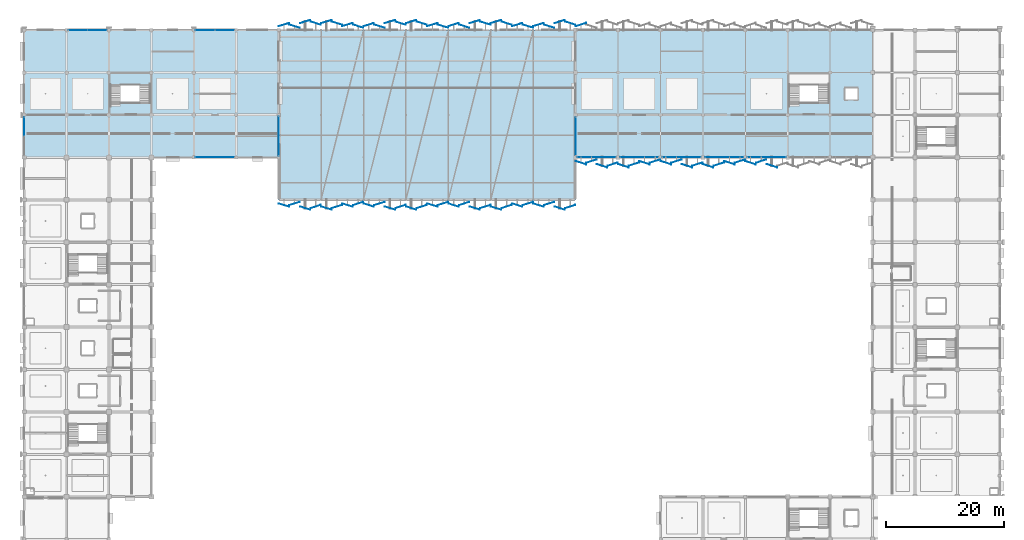
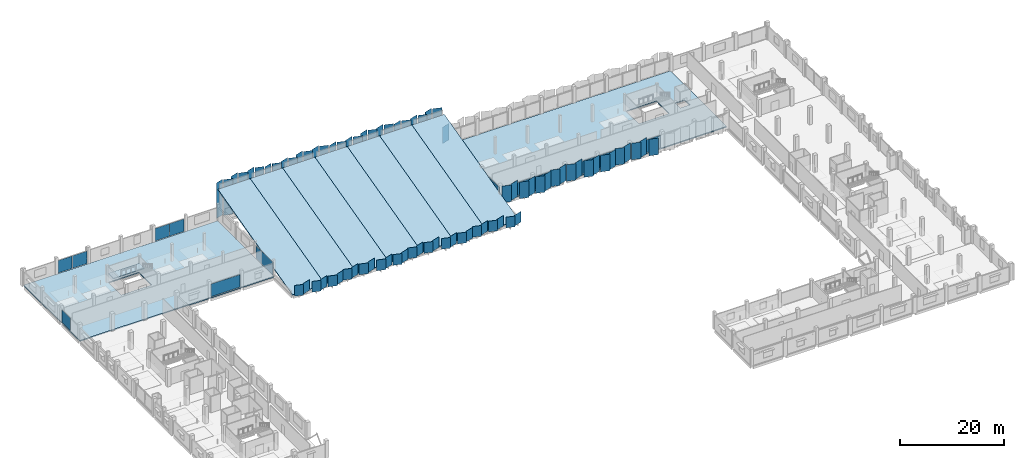
# One storey, part 65 of 108: 89 plates, 10 slabs, 12 elements without a shape of their own.
"""IFC4 building model written with IfcOpenShell, lengths in metres."""

import ifcopenshell
import ifcopenshell.guid

model = None  # the IFC model being written
_history = None  # IfcOwnerHistory: only IFC2X3 demands one
_inside = {}  # id of a spatial element -> (the spatial element, [elements in it])
_under = {}  # id of a project, library or spatial element -> (it, [spatial elements below it])
_declared = {}  # id of a project -> (the project, [libraries it declares])
_typed = {}  # id of a type object -> (the type object, [elements of that type])
_made_of = {}  # id of a material, layer set ... -> (it, [elements and type objects made of it])


def new_model(schema):
    """Start an empty IFC model of exactly this schema.

    Asked for "IFC4X3", IfcOpenShell would pick the latest addendum, in which some entities
    have other attributes; the version numbers below select the first issue.
    IFC2X3 requires an IfcOwnerHistory on every rooted entity: one is made here for all.
    """
    global model, _history
    if schema == "IFC4X3":
        model = ifcopenshell.file(schema_version=(4, 3, 0, 0))
    else:
        model = ifcopenshell.file(schema=schema)
    _inside.clear()
    _under.clear()
    _declared.clear()
    _typed.clear()
    _made_of.clear()
    _history = None
    if model.schema == "IFC2X3":
        org = make("IfcOrganization", Name="unknown")
        user = make(
            "IfcPersonAndOrganization",
            ThePerson=make("IfcPerson", FamilyName="unknown"),
            TheOrganization=org,
        )
        app = make(
            "IfcApplication",
            ApplicationDeveloper=org,
            Version="unknown",
            ApplicationFullName="unknown",
            ApplicationIdentifier="unknown",
        )
        _history = make(
            "IfcOwnerHistory",
            OwningUser=user,
            OwningApplication=app,
            ChangeAction="ADDED",
            CreationDate=0,
        )
    return model


def make(cls, **values):
    """One entity of the class cls with the attributes given. An attribute that is None is left unset."""
    return model.create_entity(
        cls, **{name: value for name, value in values.items() if value is not None}
    )


def rooted(cls, **values):
    """An entity with a GlobalId (a new one), such as an element, a storey or a relation."""
    return make(cls, GlobalId=ifcopenshell.guid.new(), OwnerHistory=_history, **values)


def si_unit(unit_type, name, prefix=None):
    """IfcSIUnit, for example si_unit("LENGTHUNIT", "METRE", prefix="MILLI")."""
    return make("IfcSIUnit", UnitType=unit_type, Prefix=prefix, Name=name)


def assignment(units):
    """IfcUnitAssignment: the units of a project."""
    return None if units is None else make("IfcUnitAssignment", Units=units)


def point(xyz):
    """IfcCartesianPoint."""
    return None if xyz is None else make("IfcCartesianPoint", Coordinates=xyz)


def direction(xyz):
    """IfcDirection."""
    return None if xyz is None else make("IfcDirection", DirectionRatios=xyz)


def frame(location, z_axis=None, x_axis=None):
    """IfcAxis2Placement3D, a coordinate frame: its origin and axes. An axis left out is left unset."""
    return make(
        "IfcAxis2Placement3D",
        Location=point(location),
        Axis=direction(z_axis),
        RefDirection=direction(x_axis),
    )


def frame_2d(location, x_axis=None):
    """IfcAxis2Placement2D, a coordinate frame in the plane: its origin and x axis."""
    return make(
        "IfcAxis2Placement2D", Location=point(location), RefDirection=direction(x_axis)
    )


def origin():
    """The frame at (0, 0, 0) with its axes left unset."""
    return frame((0.0, 0.0, 0.0))


def origin_2d():
    """The frame at (0, 0) in the plane with its x axis left unset."""
    return frame_2d((0.0, 0.0))


def place(relative_to, where):
    """IfcLocalPlacement: puts the frame where relative to a parent placement (None: the world)."""
    return make(
        "IfcLocalPlacement", PlacementRelTo=relative_to, RelativePlacement=where
    )


def context(
    kind, dimensions, precision=None, world=None, true_north=None, identifier=None
):
    """IfcGeometricRepresentationContext, for example the 3D "Model" context."""
    return make(
        "IfcGeometricRepresentationContext",
        ContextIdentifier=identifier,
        ContextType=kind,
        CoordinateSpaceDimension=dimensions,
        Precision=precision,
        WorldCoordinateSystem=world,
        TrueNorth=true_north,
    )


def subcontext(parent, identifier, kind, view, scale=None):
    """IfcGeometricRepresentationSubContext, for example "Body" below "Model"."""
    return make(
        "IfcGeometricRepresentationSubContext",
        ContextIdentifier=identifier,
        ContextType=kind,
        ParentContext=parent,
        TargetScale=scale,
        TargetView=view,
    )


def project(units=None, contexts=None):
    """IfcProject with its units and contexts."""
    return rooted(
        "IfcProject",
        Name="project",
        RepresentationContexts=contexts,
        UnitsInContext=assignment(units),
    )


def spatial(cls, under=None, at=None, **own):
    """A site, building, storey or space (cls), placed at a placement, below another one or the project."""
    s = rooted(cls, ObjectPlacement=at, **own)
    if under is not None:
        _under.setdefault(under.id(), (under, []))[1].append(s)
    return s


def polyline(points):
    """IfcPolyline through the points."""
    return make("IfcPolyline", Points=[point(p) for p in points])


def profile(cls, at=None, kind="AREA", **sizes):
    """A parametric profile (cls). Its sizes go by their IFC names, for example OverallWidth=200.0."""
    return make(cls, ProfileType=kind, Position=at, **sizes)


def rectangle(**sizes):
    """IfcRectangleProfileDef."""
    return profile("IfcRectangleProfileDef", **sizes)


def outline(outer, holes=None, kind="AREA"):
    """IfcArbitraryClosedProfileDef: a profile drawn as a closed curve; with holes, ...WithVoids."""
    if holes is None:
        return make("IfcArbitraryClosedProfileDef", ProfileType=kind, OuterCurve=outer)
    return make(
        "IfcArbitraryProfileDefWithVoids",
        ProfileType=kind,
        OuterCurve=outer,
        InnerCurves=holes,
    )


def extrude(swept, where, along, depth):
    """IfcExtrudedAreaSolid: the profile swept, set in the frame where, extruded along a direction by depth."""
    return make(
        "IfcExtrudedAreaSolid",
        SweptArea=swept,
        Position=where,
        ExtrudedDirection=direction(along),
        Depth=depth,
    )


def shape(context_of_items, identifier, shape_type, items):
    """IfcShapeRepresentation: the items that make up one representation, for example the "Body"."""
    return make(
        "IfcShapeRepresentation",
        ContextOfItems=context_of_items,
        RepresentationIdentifier=identifier,
        RepresentationType=shape_type,
        Items=items,
    )


def material(Name=None, Category=None):
    """IfcMaterial."""
    return make("IfcMaterial", Name=Name, Category=Category)


def layer(
    of_material, thickness, ventilated=None, Name=None, Category=None, Priority=None
):
    """IfcMaterialLayer: one layer of a wall or slab, of a material (None: an air gap)."""
    return make(
        "IfcMaterialLayer",
        Material=of_material,
        LayerThickness=thickness,
        IsVentilated=ventilated,
        Name=Name,
        Category=Category,
        Priority=Priority,
    )


def layer_set(layers, Name=None):
    """IfcMaterialLayerSet."""
    return make("IfcMaterialLayerSet", MaterialLayers=layers, LayerSetName=Name)


def made_of(thing, what):
    """Note that an element or type object is made of a material, layer set ...; save() writes the relation."""
    if what is not None:
        _made_of.setdefault(what.id(), (what, []))[1].append(thing)
    return thing


def type_object(cls, material=None, **own):
    """A type object (cls), such as IfcWallType, which elements share."""
    return made_of(rooted(cls, **own), material)


def element(
    cls,
    number,
    at=None,
    inside=None,
    cuts=None,
    type_object=None,
    material=None,
    context=None,
    identifier="Body",
    shape_type=None,
    held_by="IfcProductDefinitionShape",
    body=None,
    shapes=None,
    **own,
):
    """One element of the class cls, such as IfcWall. Its Tag is "e" and its number.

    at: its placement. inside: the storey or other place that contains it. cuts: it is an
    opening in that element (IfcRelVoidsElement). A single representation is given by context,
    identifier, shape_type and body (its items); several are given by shapes. held_by: the class
    of the entity that holds the representations. save() writes the other relations.
    """
    e = rooted(cls, Tag="e%d" % number, ObjectPlacement=at, **own)
    if body is not None:
        shapes = [shape(context, identifier, shape_type, body)]
    if shapes is not None:
        e.Representation = make(held_by, Representations=shapes)
    if inside is not None:
        _inside.setdefault(inside.id(), (inside, []))[1].append(e)
    if cuts is not None:
        rooted(
            "IfcRelVoidsElement", RelatingBuildingElement=cuts, RelatedOpeningElement=e
        )
    if type_object is not None:
        _typed.setdefault(type_object.id(), (type_object, []))[1].append(e)
    return made_of(e, material)


def aggregate(whole, parts):
    """IfcRelAggregates: a whole, such as a stair, and the parts it consists of."""
    return rooted("IfcRelAggregates", RelatingObject=whole, RelatedObjects=parts)


def save(model, path):
    """Write the relations noted so far, then the file.

    IfcRelAggregates (storeys below a building ...), IfcRelContainedInSpatialStructure (elements
    in a storey), IfcRelDefinesByType, IfcRelAssociatesMaterial and IfcRelDeclares: one each for
    every whole, place, type object, material and project.
    """
    for whole, parts in _under.values():
        aggregate(whole, parts)
    for where, things in _inside.values():
        rooted(
            "IfcRelContainedInSpatialStructure",
            RelatedElements=things,
            RelatingStructure=where,
        )
    for kind, things in _typed.values():
        rooted("IfcRelDefinesByType", RelatedObjects=things, RelatingType=kind)
    for what, things in _made_of.values():
        rooted("IfcRelAssociatesMaterial", RelatedObjects=things, RelatingMaterial=what)
    for by, libraries in _declared.values():
        rooted("IfcRelDeclares", RelatingContext=by, RelatedDefinitions=libraries)
    model.write(path)


model = new_model("IFC4")

# Units and contexts
model_context = context("Model", 3, precision=1e-05, world=origin(), true_north=direction((0.0, 1.0)))
body_context = subcontext(model_context, "Body", "Model", "MODEL_VIEW")
ifc_project = project(units=[si_unit("LENGTHUNIT", "METRE"), si_unit("AREAUNIT", "SQUARE_METRE"), si_unit("VOLUMEUNIT", "CUBIC_METRE"), si_unit("PLANEANGLEUNIT", "RADIAN"), si_unit("MASSUNIT", "GRAM", prefix="KILO")], contexts=[model_context])

# Site, building, storey
site_placement = place(None, origin())
site = spatial("IfcSite", under=ifc_project, at=site_placement, CompositionType="ELEMENT")
building_placement = place(site_placement, origin())
building = spatial("IfcBuilding", under=site, at=building_placement, Name="Kangsadwip Square Police Headquarters", CompositionType="ELEMENT")
storey_placement = place(building_placement, frame((0.0, 0.0, 9.449951171875)))
storey = spatial("IfcBuildingStorey", under=building, at=storey_placement, Name="L02", CompositionType="ELEMENT", Elevation=9.449951171875)

# Curtain wall, plate
ifc_material_1 = material(Name="Thermally broken anodised aluminium AW-6063-T6", Category="aluminium")
ifc_layer_1 = layer(ifc_material_1, 0.159912109375)
ifc_layer_set_1 = layer_set([ifc_layer_1], Name="Thermally broken anodised aluminium AW-6063-T6")
curtain_wall_type_1 = type_object("IfcCurtainWallType", Name="CourtScreen6635x3200", PredefinedType="USERDEFINED", material=ifc_layer_set_1)
curtain_wall_1_placement = place(storey_placement, origin())
curtain_wall_1 = element("IfcCurtainWall", 1, at=curtain_wall_1_placement, inside=storey, type_object=curtain_wall_type_1, Name="Curtain Wall CW-L02-0291-0936", ObjectType="GLAZED_SCREEN", PredefinedType="USERDEFINED")
ifc_material_2 = material(Name="Double-glazed solar-control low-E safety glass", Category="glass")
ifc_layer_2 = layer(ifc_material_2, 0.02392578125)
ifc_layer_set_2 = layer_set([ifc_layer_2], Name="Double-glazed solar-control low-E safety glass")
plate_type_1 = type_object("IfcPlateType", Name="CwCourtVisionPanel24", PredefinedType="CURTAIN_PANEL", material=ifc_layer_set_2)
plate_1_placement = place(storey_placement, frame((32.41259765625, 93.60009765625, 0.1201171875), z_axis=(0.0, 0.0, 1.0), x_axis=(1.0, 0.0, 0.0)))
plate_1 = element("IfcPlate", 2, at=plate_1_placement, type_object=plate_type_1, Name="CW-32 panel 1.1", PredefinedType="CURTAIN_PANEL", context=body_context, shape_type="SweptSolid", body=[
    extrude(rectangle(XDim=6.514892578125, YDim=0.02392578125, at=origin_2d()), origin(), (0.0, 0.0, 1.0), 2.9599609375),
])
aggregate(curtain_wall_1, [plate_1])

ifc_material_3 = material(Name="Thermally broken anodised aluminium AW-6063-T6", Category="aluminium")
ifc_layer_3 = layer(ifc_material_3, 0.159912109375)
ifc_layer_set_3 = layer_set([ifc_layer_3], Name="Thermally broken anodised aluminium AW-6063-T6")
curtain_wall_type_2 = type_object("IfcCurtainWallType", Name="CourtScreen6560x3200", PredefinedType="USERDEFINED", material=ifc_layer_set_3)
curtain_wall_2_placement = place(storey_placement, origin())
curtain_wall_2 = element("IfcCurtainWall", 3, at=curtain_wall_2_placement, inside=storey, type_object=curtain_wall_type_2, Name="Curtain Wall CW-L02-0939-0936", ObjectType="GLAZED_SCREEN", PredefinedType="USERDEFINED")
plate_2_placement = place(storey_placement, frame((97.199951171875, 93.60009765625, 0.1201171875), z_axis=(0.0, 0.0, 1.0), x_axis=(1.0, 0.0, 0.0)))
plate_2 = element("IfcPlate", 4, at=plate_2_placement, type_object=plate_type_1, Name="CW-33 panel 1.1", PredefinedType="CURTAIN_PANEL", context=body_context, shape_type="SweptSolid", body=[
    extrude(rectangle(XDim=6.43994140625, YDim=0.02392578125, at=origin_2d()), origin(), (0.0, 0.0, 1.0), 2.9599609375),
])
aggregate(curtain_wall_2, [plate_2])

curtain_wall_3_placement = place(storey_placement, origin())
curtain_wall_3 = element("IfcCurtainWall", 5, at=curtain_wall_3_placement, inside=storey, type_object=curtain_wall_type_2, Name="Curtain Wall CW-L02-1011-0936", ObjectType="GLAZED_SCREEN", PredefinedType="USERDEFINED")
plate_3_placement = place(storey_placement, frame((104.39990234375, 93.60009765625, 0.1201171875), z_axis=(0.0, 0.0, 1.0), x_axis=(1.0, 0.0, 0.0)))
plate_3 = element("IfcPlate", 6, at=plate_3_placement, type_object=plate_type_1, Name="CW-33 panel 1.1", PredefinedType="CURTAIN_PANEL", context=body_context, shape_type="SweptSolid", body=[
    extrude(rectangle(XDim=6.43994140625, YDim=0.02392578125, at=origin_2d()), origin(), (0.0, 0.0, 1.0), 2.9599609375),
])
aggregate(curtain_wall_3, [plate_3])

curtain_wall_4_placement = place(storey_placement, origin())
curtain_wall_4 = element("IfcCurtainWall", 7, at=curtain_wall_4_placement, inside=storey, type_object=curtain_wall_type_2, Name="Curtain Wall CW-L02-1083-0936", ObjectType="GLAZED_SCREEN", PredefinedType="USERDEFINED")
plate_4_placement = place(storey_placement, frame((111.60009765625, 93.60009765625, 0.1201171875), z_axis=(0.0, 0.0, 1.0), x_axis=(1.0, 0.0, 0.0)))
plate_4 = element("IfcPlate", 8, at=plate_4_placement, type_object=plate_type_1, Name="CW-33 panel 1.1", PredefinedType="CURTAIN_PANEL", context=body_context, shape_type="SweptSolid", body=[
    extrude(rectangle(XDim=6.43994140625, YDim=0.02392578125, at=origin_2d()), origin(), (0.0, 0.0, 1.0), 2.9599609375),
])
aggregate(curtain_wall_4, [plate_4])

curtain_wall_5_placement = place(storey_placement, origin())
curtain_wall_5 = element("IfcCurtainWall", 9, at=curtain_wall_5_placement, inside=storey, type_object=curtain_wall_type_2, Name="Curtain Wall CW-L02-1155-0936", ObjectType="GLAZED_SCREEN", PredefinedType="USERDEFINED")
plate_5_placement = place(storey_placement, frame((118.800048828125, 93.60009765625, 0.1201171875), z_axis=(0.0, 0.0, 1.0), x_axis=(1.0, 0.0, 0.0)))
plate_5 = element("IfcPlate", 10, at=plate_5_placement, type_object=plate_type_1, Name="CW-33 panel 1.1", PredefinedType="CURTAIN_PANEL", context=body_context, shape_type="SweptSolid", body=[
    extrude(rectangle(XDim=6.43994140625, YDim=0.02392578125, at=origin_2d()), origin(), (0.0, 0.0, 1.0), 2.9599609375),
])
aggregate(curtain_wall_5, [plate_5])

curtain_wall_6_placement = place(storey_placement, origin())
curtain_wall_6 = element("IfcCurtainWall", 11, at=curtain_wall_6_placement, inside=storey, type_object=curtain_wall_type_2, Name="Curtain Wall CW-L02-1227-0936", ObjectType="GLAZED_SCREEN", PredefinedType="USERDEFINED")
plate_6_placement = place(storey_placement, frame((126.0, 93.60009765625, 0.1201171875), z_axis=(0.0, 0.0, 1.0), x_axis=(1.0, 0.0, 0.0)))
plate_6 = element("IfcPlate", 12, at=plate_6_placement, type_object=plate_type_1, Name="CW-33 panel 1.1", PredefinedType="CURTAIN_PANEL", context=body_context, shape_type="SweptSolid", body=[
    extrude(rectangle(XDim=6.43994140625, YDim=0.02392578125, at=origin_2d()), origin(), (0.0, 0.0, 1.0), 2.9599609375),
])
aggregate(curtain_wall_6, [plate_6])

ifc_material_4 = material(Name="Thermally broken anodised aluminium AW-6063-T6", Category="aluminium")
ifc_layer_4 = layer(ifc_material_4, 0.159912109375)
ifc_layer_set_4 = layer_set([ifc_layer_4], Name="Thermally broken anodised aluminium AW-6063-T6")
curtain_wall_type_3 = type_object("IfcCurtainWallType", Name="CourtScreen6685x3200", PredefinedType="USERDEFINED", material=ifc_layer_set_4)
curtain_wall_7_placement = place(storey_placement, origin())
curtain_wall_7 = element("IfcCurtainWall", 13, at=curtain_wall_7_placement, inside=storey, type_object=curtain_wall_type_3, Name="Curtain Wall CW-L02-0432-0938", ObjectType="GLAZED_SCREEN", PredefinedType="USERDEFINED")
plate_7_placement = place(storey_placement, frame((43.199951171875, 97.1875, 0.1201171875), z_axis=(0.0, 0.0, 1.0), x_axis=(0.0, 1.0, 0.0)))
plate_7 = element("IfcPlate", 14, at=plate_7_placement, type_object=plate_type_1, Name="CW-35 panel 1.1", PredefinedType="CURTAIN_PANEL", context=body_context, shape_type="SweptSolid", body=[
    extrude(rectangle(XDim=6.56494140625, YDim=0.02392578125, at=origin_2d()), origin(), (0.0, 0.0, 1.0), 2.9599609375),
])
aggregate(curtain_wall_7, [plate_7])

curtain_wall_8_placement = place(storey_placement, origin())
curtain_wall_8 = element("IfcCurtainWall", 15, at=curtain_wall_8_placement, inside=storey, type_object=curtain_wall_type_2, Name="Curtain Wall CW-L02-0936-0939", ObjectType="GLAZED_SCREEN", PredefinedType="USERDEFINED")
plate_8_placement = place(storey_placement, frame((93.60009765625, 97.199951171875, 0.1201171875), z_axis=(0.0, 0.0, 1.0), x_axis=(0.0, 1.0, 0.0)))
plate_8 = element("IfcPlate", 16, at=plate_8_placement, type_object=plate_type_1, Name="CW-33 panel 1.1", PredefinedType="CURTAIN_PANEL", context=body_context, shape_type="SweptSolid", body=[
    extrude(rectangle(XDim=6.43994140625, YDim=0.02392578125, at=origin_2d()), origin(), (0.0, 0.0, 1.0), 2.9599609375),
])
aggregate(curtain_wall_8, [plate_8])

# Curtain wall, plates
ifc_material_5 = material(Name="Thermally broken anodised aluminium AW-6063-T6", Category="aluminium")
ifc_layer_5 = layer(ifc_material_5, 0.159912109375)
ifc_layer_set_5 = layer_set([ifc_layer_5], Name="Thermally broken anodised aluminium AW-6063-T6")
curtain_wall_type_4 = type_object("IfcCurtainWallType", Name="UnitisedCw6610x3200", PredefinedType="NOTDEFINED", material=ifc_layer_set_5)
curtain_wall_9_placement = place(storey_placement, origin())
curtain_wall_9 = element("IfcCurtainWall", 17, at=curtain_wall_9_placement, inside=storey, type_object=curtain_wall_type_4, Name="Curtain Wall CW-L02-0075-1152", PredefinedType="NOTDEFINED")
ifc_material_6 = material(Name="Double-glazed solar-control low-E safety glass", Category="glass")
ifc_layer_6 = layer(ifc_material_6, 0.028076171875)
ifc_layer_set_6 = layer_set([ifc_layer_6], Name="Double-glazed solar-control low-E safety glass")
plate_type_2 = type_object("IfcPlateType", Name="CwSolarVisionPanel28", PredefinedType="CURTAIN_PANEL", material=ifc_layer_set_6)
plate_9_placement = place(storey_placement, frame((9.163818359375, 115.199951171875, 0.130126953125), z_axis=(0.0, 0.0, 1.0), x_axis=(1.0, 0.0, 0.0)))
plate_9 = element("IfcPlate", 18, at=plate_9_placement, type_object=plate_type_2, Name="CW-28 panel 1.1", PredefinedType="CURTAIN_PANEL", context=body_context, shape_type="SweptSolid", body=[
    extrude(rectangle(XDim=3.20751953125, YDim=0.028076171875, at=origin_2d()), origin(), (0.0, 0.0, 1.0), 2.93994140625),
])
plate_10_placement = place(storey_placement, frame((12.436279296875, 115.199951171875, 0.130126953125), z_axis=(0.0, 0.0, 1.0), x_axis=(1.0, 0.0, 0.0)))
plate_10 = element("IfcPlate", 19, at=plate_10_placement, type_object=plate_type_2, Name="CW-28 panel 2.1", PredefinedType="CURTAIN_PANEL", context=body_context, shape_type="SweptSolid", body=[
    extrude(rectangle(XDim=3.20751953125, YDim=0.028076171875, at=origin_2d()), origin(), (0.0, 0.0, 1.0), 2.93994140625),
])
aggregate(curtain_wall_9, [plate_9, plate_10])

ifc_material_7 = material(Name="Thermally broken anodised aluminium AW-6063-T6", Category="aluminium")
ifc_layer_7 = layer(ifc_material_7, 0.159912109375)
ifc_layer_set_7 = layer_set([ifc_layer_7], Name="Thermally broken anodised aluminium AW-6063-T6")
curtain_wall_type_5 = type_object("IfcCurtainWallType", Name="UnitisedCw6660x3200", PredefinedType="NOTDEFINED", material=ifc_layer_set_7)
curtain_wall_10_placement = place(storey_placement, origin())
curtain_wall_10 = element("IfcCurtainWall", 20, at=curtain_wall_10_placement, inside=storey, type_object=curtain_wall_type_5, Name="Curtain Wall CW-L02-0291-1152", PredefinedType="NOTDEFINED")
plate_11_placement = place(storey_placement, frame((30.7763671875, 115.199951171875, 0.130126953125), z_axis=(0.0, 0.0, 1.0), x_axis=(1.0, 0.0, 0.0)))
plate_11 = element("IfcPlate", 21, at=plate_11_placement, type_object=plate_type_2, Name="CW-22 panel 1.1", PredefinedType="CURTAIN_PANEL", context=body_context, shape_type="SweptSolid", body=[
    extrude(rectangle(XDim=3.232421875, YDim=0.028076171875, at=origin_2d()), origin(), (0.0, 0.0, 1.0), 2.93994140625),
])
plate_12_placement = place(storey_placement, frame((34.07373046875, 115.199951171875, 0.130126953125), z_axis=(0.0, 0.0, 1.0), x_axis=(1.0, 0.0, 0.0)))
plate_12 = element("IfcPlate", 22, at=plate_12_placement, type_object=plate_type_2, Name="CW-22 panel 2.1", PredefinedType="CURTAIN_PANEL", context=body_context, shape_type="SweptSolid", body=[
    extrude(rectangle(XDim=3.232421875, YDim=0.028076171875, at=origin_2d()), origin(), (0.0, 0.0, 1.0), 2.93994140625),
])
aggregate(curtain_wall_10, [plate_11, plate_12])

# Curtain wall, plate
curtain_wall_11_placement = place(storey_placement, origin())
curtain_wall_11 = element("IfcCurtainWall", 23, at=curtain_wall_11_placement, inside=storey, type_object=curtain_wall_type_4, Name="Curtain Wall CW-L02-0000-0939", PredefinedType="NOTDEFINED")
plate_13_placement = place(storey_placement, frame((0.0, 98.836181640625, 0.130126953125), z_axis=(0.0, 0.0, 1.0), x_axis=(0.0, 1.0, 0.0)))
plate_13 = element("IfcPlate", 24, at=plate_13_placement, type_object=plate_type_2, Name="CW-28 panel 2.1", PredefinedType="CURTAIN_PANEL", context=body_context, shape_type="SweptSolid", body=[
    extrude(rectangle(XDim=3.20751953125, YDim=0.028076171875, at=origin_2d()), origin(), (0.0, 0.0, 1.0), 2.93994140625),
])
aggregate(curtain_wall_11, [plate_13])

# Slabs
ifc_material_8 = material(Name="Concrete M35 (35 MPa)", Category="concrete")
ifc_layer_8 = layer(ifc_material_8, 0.239990234375)
ifc_layer_set_8 = layer_set([ifc_layer_8], Name="Concrete M35 (35 MPa)")
slab_type_1 = type_object("IfcSlabType", Name="MainFloorSlab240", PredefinedType="FLOOR", material=ifc_layer_set_8)
slab_1_placement = place(storey_placement, frame((0.0, 0.0, -0.239990234375)))
element("IfcSlab", 25, at=slab_1_placement, inside=storey, type_object=slab_type_1, Name="L02 Vol4 Slab SL-L02-030", PredefinedType="FLOOR", context=body_context, shape_type="SweptSolid", body=[
    extrude(outline(polyline([(0.0, 93.60009765625), (0.0, 115.199951171875), (43.199951171875, 115.199951171875), (43.199951171875, 93.60009765625), (0.0, 93.60009765625)]), holes=[polyline([(14.6201171875, 102.8798828125), (21.3798828125, 102.8798828125), (21.3798828125, 107.780029296875), (14.6201171875, 107.780029296875), (14.6201171875, 102.8798828125)])]), origin(), (0.0, 0.0, 1.0), 0.239990234375),
])
slab_2_placement = place(storey_placement, frame((0.0, 0.0, -0.239990234375)))
element("IfcSlab", 26, at=slab_2_placement, inside=storey, type_object=slab_type_1, Name="L02 Vol2 Slab SL-L02-031", PredefinedType="FLOOR", context=body_context, shape_type="SweptSolid", body=[
    extrude(outline(polyline([(93.60009765625, 93.60009765625), (93.60009765625, 115.199951171875), (144.0, 115.199951171875), (144.0, 93.60009765625), (93.60009765625, 93.60009765625)]), holes=[polyline([(136.580078125, 102.8798828125), (136.580078125, 107.780029296875), (129.820068359375, 107.780029296875), (129.820068359375, 102.8798828125), (136.580078125, 102.8798828125)]), polyline([(141.47509765625, 103.425048828125), (141.47509765625, 105.375), (139.324951171875, 105.375), (139.324951171875, 103.425048828125), (141.47509765625, 103.425048828125)])]), origin(), (0.0, 0.0, 1.0), 0.239990234375),
])

# Plates
ifc_material_9 = material(Name="PVDF-coated perforated marine-grade aluminium AW-5052-H32", Category="aluminium")
ifc_layer_9 = layer(ifc_material_9, 0.008056640625)
ifc_layer_set_9 = layer_set([ifc_layer_9], Name="PVDF-coated perforated marine-grade aluminium AW-5052-H32")
plate_type_3 = type_object("IfcPlateType", Name="PleatedVeilFacet3", PredefinedType="USERDEFINED", material=ifc_layer_set_9)
for number, where, z_axis, x_axis, name in (
    (27, (44.10009765625, 116.12548828125, 0.070068359375), (0.0, 0.0, 1.0), (0.953716950748, 0.300705799504, 0.0), "Pleated Perforated Veil Facet PVF-L02-0029"),
    (28, (45.89990234375, 115.845458984375, 0.070068359375), (0.0, 0.0, 1.0), (0.953716950748, -0.300705799504, 0.0), "Pleated Perforated Veil Facet PVF-L02-0030"),
    (29, (47.699951171875, 116.634521484375, 0.070068359375), (0.0, 0.0, 1.0), (0.953716950748, 0.300705799504, 0.0), "Pleated Perforated Veil Facet PVF-L02-0031"),
    (30, (49.5, 116.3544921875, 0.070068359375), (0.0, 0.0, 1.0), (0.953716950748, -0.300705799504, 0.0), "Pleated Perforated Veil Facet PVF-L02-0032"),
    (31, (51.300048828125, 116.634521484375, 0.070068359375), (0.0, 0.0, 1.0), (0.953716950748, 0.300705799504, 0.0), "Pleated Perforated Veil Facet PVF-L02-0033"),
    (32, (53.10009765625, 116.3544921875, 0.070068359375), (0.0, 0.0, 1.0), (0.953716950748, -0.300705799504, 0.0), "Pleated Perforated Veil Facet PVF-L02-0034"),
    (33, (54.89990234375, 116.12548828125, 0.070068359375), (0.0, 0.0, 1.0), (0.953716950748, 0.300705799504, 0.0), "Pleated Perforated Veil Facet PVF-L02-0035"),
    (34, (56.699951171875, 115.845458984375, 0.070068359375), (0.0, 0.0, 1.0), (0.953716950748, -0.300705799504, 0.0), "Pleated Perforated Veil Facet PVF-L02-0036"),
    (35, (58.5, 116.12548828125, 0.070068359375), (0.0, 0.0, 1.0), (0.953716950748, 0.300705799504, 0.0), "Pleated Perforated Veil Facet PVF-L02-0037"),
    (36, (60.300048828125, 115.845458984375, 0.070068359375), (0.0, 0.0, 1.0), (0.953716950748, -0.300705799504, 0.0), "Pleated Perforated Veil Facet PVF-L02-0038"),
    (37, (62.10009765625, 116.634521484375, 0.070068359375), (0.0, 0.0, 1.0), (0.953716950748, 0.300705799504, 0.0), "Pleated Perforated Veil Facet PVF-L02-0039"),
    (38, (63.89990234375, 116.3544921875, 0.070068359375), (0.0, 0.0, 1.0), (0.953716950748, -0.300705799504, 0.0), "Pleated Perforated Veil Facet PVF-L02-0040"),
    (39, (65.699951171875, 116.634521484375, 0.070068359375), (0.0, 0.0, 1.0), (0.953716950748, 0.300705799504, 0.0), "Pleated Perforated Veil Facet PVF-L02-0041"),
    (40, (67.5, 116.3544921875, 0.070068359375), (0.0, 0.0, 1.0), (0.953716950748, -0.300705799504, 0.0), "Pleated Perforated Veil Facet PVF-L02-0042"),
    (41, (69.300048828125, 116.12548828125, 0.070068359375), (0.0, 0.0, 1.0), (0.953716950748, 0.300705799504, 0.0), "Pleated Perforated Veil Facet PVF-L02-0043"),
    (42, (71.10009765625, 115.845458984375, 0.070068359375), (0.0, 0.0, 1.0), (0.953716950748, -0.300705799504, 0.0), "Pleated Perforated Veil Facet PVF-L02-0044"),
    (43, (72.89990234375, 116.12548828125, 0.070068359375), (0.0, 0.0, 1.0), (0.953716950748, 0.300705799504, 0.0), "Pleated Perforated Veil Facet PVF-L02-0045"),
    (44, (74.699951171875, 115.845458984375, 0.070068359375), (0.0, 0.0, 1.0), (0.953716950748, -0.300705799504, 0.0), "Pleated Perforated Veil Facet PVF-L02-0046"),
    (45, (76.5, 116.634521484375, 0.070068359375), (0.0, 0.0, 1.0), (0.953716950748, 0.300705799504, 0.0), "Pleated Perforated Veil Facet PVF-L02-0047"),
    (46, (78.300048828125, 116.3544921875, 0.070068359375), (0.0, 0.0, 1.0), (0.953716950748, -0.300705799504, 0.0), "Pleated Perforated Veil Facet PVF-L02-0048"),
    (47, (80.10009765625, 116.634521484375, 0.070068359375), (0.0, 0.0, 1.0), (0.953716950748, 0.300705799504, 0.0), "Pleated Perforated Veil Facet PVF-L02-0049"),
    (48, (81.89990234375, 116.3544921875, 0.070068359375), (0.0, 0.0, 1.0), (0.953716950748, -0.300705799504, 0.0), "Pleated Perforated Veil Facet PVF-L02-0050"),
    (49, (83.699951171875, 116.12548828125, 0.070068359375), (0.0, 0.0, 1.0), (0.953716950748, 0.300705799504, 0.0), "Pleated Perforated Veil Facet PVF-L02-0051"),
    (50, (85.5, 115.845458984375, 0.070068359375), (0.0, 0.0, 1.0), (0.953716950748, -0.300705799504, 0.0), "Pleated Perforated Veil Facet PVF-L02-0052"),
    (51, (87.300048828125, 116.12548828125, 0.070068359375), (0.0, 0.0, 1.0), (0.953716950748, 0.300705799504, 0.0), "Pleated Perforated Veil Facet PVF-L02-0053"),
    (52, (89.10009765625, 115.845458984375, 0.070068359375), (0.0, 0.0, 1.0), (0.953716950748, -0.300705799504, 0.0), "Pleated Perforated Veil Facet PVF-L02-0054"),
    (53, (90.89990234375, 116.634521484375, 0.070068359375), (0.0, 0.0, 1.0), (0.953716950748, 0.300705799504, 0.0), "Pleated Perforated Veil Facet PVF-L02-0055"),
    (54, (92.699951171875, 116.3544921875, 0.070068359375), (0.0, 0.0, 1.0), (0.953716950748, -0.300705799504, 0.0), "Pleated Perforated Veil Facet PVF-L02-0056"),
):
    element("IfcPlate", number, at=place(storey_placement, frame(where, z_axis=z_axis, x_axis=x_axis)), inside=storey, type_object=plate_type_3, Name=name, ObjectType="VEIL_FACET", PredefinedType="USERDEFINED", context=body_context, shape_type="SweptSolid", body=[
        extrude(rectangle(XDim=1.820068359375, YDim=0.008056640625, at=origin_2d()), origin(), (0.0, 0.0, 1.0), 8.3798828125),
    ])
ifc_material_10 = material(Name="PVDF-coated perforated marine-grade aluminium AW-5052-H32", Category="aluminium")
ifc_layer_10 = layer(ifc_material_10, 0.008056640625)
ifc_layer_set_10 = layer_set([ifc_layer_10], Name="PVDF-coated perforated marine-grade aluminium AW-5052-H32")
plate_type_4 = type_object("IfcPlateType", Name="PleatedVeilFacet4", PredefinedType="USERDEFINED", material=ifc_layer_set_10)
for number, where, z_axis, x_axis, name in (
    (55, (94.5, 116.12548828125, 0.070068359375), (0.0, 0.0, 1.0), (0.953716950748, 0.300705799504, 0.0), "Pleated Perforated Veil Facet PVF-L02-0085"),
    (56, (94.5, 92.674560546875, 0.070068359375), (0.0, 0.0, 1.0), (0.953716950748, -0.300705799504, 0.0), "Pleated Perforated Veil Facet PVF-L02-0281"),
    (57, (96.300048828125, 92.95458984375, 0.070068359375), (0.0, 0.0, 1.0), (0.953716950748, 0.300705799504, 0.0), "Pleated Perforated Veil Facet PVF-L02-0282"),
    (58, (98.10009765625, 92.165283203125, 0.070068359375), (0.0, 0.0, 1.0), (0.953716950748, -0.300705799504, 0.0), "Pleated Perforated Veil Facet PVF-L02-0283"),
    (59, (99.89990234375, 92.4453125, 0.070068359375), (0.0, 0.0, 1.0), (0.953716950748, 0.300705799504, 0.0), "Pleated Perforated Veil Facet PVF-L02-0284"),
    (60, (101.699951171875, 92.165283203125, 0.070068359375), (0.0, 0.0, 1.0), (0.953716950748, -0.300705799504, 0.0), "Pleated Perforated Veil Facet PVF-L02-0285"),
    (61, (103.5, 92.4453125, 0.070068359375), (0.0, 0.0, 1.0), (0.953716950748, 0.300705799504, 0.0), "Pleated Perforated Veil Facet PVF-L02-0286"),
    (62, (105.300048828125, 92.674560546875, 0.070068359375), (0.0, 0.0, 1.0), (0.953716950748, -0.300705799504, 0.0), "Pleated Perforated Veil Facet PVF-L02-0287"),
    (63, (107.10009765625, 92.95458984375, 0.070068359375), (0.0, 0.0, 1.0), (0.953716950748, 0.300705799504, 0.0), "Pleated Perforated Veil Facet PVF-L02-0288"),
    (64, (108.89990234375, 92.674560546875, 0.070068359375), (0.0, 0.0, 1.0), (0.953716950748, -0.300705799504, 0.0), "Pleated Perforated Veil Facet PVF-L02-0289"),
    (65, (110.699951171875, 92.95458984375, 0.070068359375), (0.0, 0.0, 1.0), (0.953716950748, 0.300705799504, 0.0), "Pleated Perforated Veil Facet PVF-L02-0290"),
    (66, (112.5, 92.165283203125, 0.070068359375), (0.0, 0.0, 1.0), (0.953716950748, -0.300705799504, 0.0), "Pleated Perforated Veil Facet PVF-L02-0291"),
    (67, (114.300048828125, 92.4453125, 0.070068359375), (0.0, 0.0, 1.0), (0.953716950748, 0.300705799504, 0.0), "Pleated Perforated Veil Facet PVF-L02-0292"),
    (68, (116.10009765625, 92.165283203125, 0.070068359375), (0.0, 0.0, 1.0), (0.953716950748, -0.300705799504, 0.0), "Pleated Perforated Veil Facet PVF-L02-0293"),
    (69, (117.89990234375, 92.4453125, 0.070068359375), (0.0, 0.0, 1.0), (0.953716950748, 0.300705799504, 0.0), "Pleated Perforated Veil Facet PVF-L02-0294"),
    (70, (119.699951171875, 92.674560546875, 0.070068359375), (0.0, 0.0, 1.0), (0.953716950748, -0.300705799504, 0.0), "Pleated Perforated Veil Facet PVF-L02-0295"),
    (71, (121.5, 92.95458984375, 0.070068359375), (0.0, 0.0, 1.0), (0.953716950748, 0.300705799504, 0.0), "Pleated Perforated Veil Facet PVF-L02-0296"),
    (72, (123.300048828125, 92.674560546875, 0.070068359375), (0.0, 0.0, 1.0), (0.953716950748, -0.300705799504, 0.0), "Pleated Perforated Veil Facet PVF-L02-0297"),
    (73, (125.10009765625, 92.95458984375, 0.070068359375), (0.0, 0.0, 1.0), (0.953716950748, 0.300705799504, 0.0), "Pleated Perforated Veil Facet PVF-L02-0298"),
    (74, (126.89990234375, 92.165283203125, 0.070068359375), (0.0, 0.0, 1.0), (0.953716950748, -0.300705799504, 0.0), "Pleated Perforated Veil Facet PVF-L02-0299"),
):
    element("IfcPlate", number, at=place(storey_placement, frame(where, z_axis=z_axis, x_axis=x_axis)), inside=storey, type_object=plate_type_4, Name=name, ObjectType="VEIL_FACET", PredefinedType="USERDEFINED", context=body_context, shape_type="SweptSolid", body=[
        extrude(rectangle(XDim=1.860107421875, YDim=0.008056640625, at=origin_2d()), origin(), (0.0, 0.0, 1.0), 3.89990234375),
    ])
ifc_material_11 = material(Name="PVDF-coated perforated marine-grade aluminium AW-5052-H32", Category="aluminium")
ifc_layer_11 = layer(ifc_material_11, 0.0048828125)
ifc_layer_set_11 = layer_set([ifc_layer_11], Name="PVDF-coated perforated marine-grade aluminium AW-5052-H32")
plate_type_5 = type_object("IfcPlateType", Name="PleatedVeilFacet5", PredefinedType="USERDEFINED", material=ifc_layer_set_11)
for number, where, z_axis, x_axis, name in (
    (75, (44.10009765625, 85.474609375, 0.06982421875), (0.0, 0.0, 1.0), (0.953716950748, -0.300705799504, 0.0), "Pleated Perforated Veil Facet PVF-L02-0225"),
    (76, (45.89990234375, 85.754638671875, 0.06982421875), (0.0, 0.0, 1.0), (0.953716950748, 0.300705799504, 0.0), "Pleated Perforated Veil Facet PVF-L02-0226"),
    (77, (47.699951171875, 84.96533203125, 0.06982421875), (0.0, 0.0, 1.0), (0.953716950748, -0.300705799504, 0.0), "Pleated Perforated Veil Facet PVF-L02-0227"),
    (78, (49.5, 85.245361328125, 0.06982421875), (0.0, 0.0, 1.0), (0.953716950748, 0.300705799504, 0.0), "Pleated Perforated Veil Facet PVF-L02-0228"),
    (79, (51.300048828125, 84.96533203125, 0.06982421875), (0.0, 0.0, 1.0), (0.953716950748, -0.300705799504, 0.0), "Pleated Perforated Veil Facet PVF-L02-0229"),
    (80, (53.10009765625, 85.245361328125, 0.06982421875), (0.0, 0.0, 1.0), (0.953716950748, 0.300705799504, 0.0), "Pleated Perforated Veil Facet PVF-L02-0230"),
    (81, (54.89990234375, 85.474609375, 0.06982421875), (0.0, 0.0, 1.0), (0.953716950748, -0.300705799504, 0.0), "Pleated Perforated Veil Facet PVF-L02-0231"),
    (82, (56.699951171875, 85.754638671875, 0.06982421875), (0.0, 0.0, 1.0), (0.953716950748, 0.300705799504, 0.0), "Pleated Perforated Veil Facet PVF-L02-0232"),
    (83, (58.5, 85.474609375, 0.06982421875), (0.0, 0.0, 1.0), (0.953716950748, -0.300705799504, 0.0), "Pleated Perforated Veil Facet PVF-L02-0233"),
    (84, (60.300048828125, 85.754638671875, 0.06982421875), (0.0, 0.0, 1.0), (0.953716950748, 0.300705799504, 0.0), "Pleated Perforated Veil Facet PVF-L02-0234"),
    (85, (62.10009765625, 84.96533203125, 0.06982421875), (0.0, 0.0, 1.0), (0.953716950748, -0.300705799504, 0.0), "Pleated Perforated Veil Facet PVF-L02-0235"),
    (86, (63.89990234375, 85.245361328125, 0.06982421875), (0.0, 0.0, 1.0), (0.953716950748, 0.300705799504, 0.0), "Pleated Perforated Veil Facet PVF-L02-0236"),
    (87, (65.699951171875, 84.96533203125, 0.06982421875), (0.0, 0.0, 1.0), (0.953716950748, -0.300705799504, 0.0), "Pleated Perforated Veil Facet PVF-L02-0237"),
    (88, (67.5, 85.245361328125, 0.06982421875), (0.0, 0.0, 1.0), (0.953716950748, 0.300705799504, 0.0), "Pleated Perforated Veil Facet PVF-L02-0238"),
    (89, (69.300048828125, 85.474609375, 0.06982421875), (0.0, 0.0, 1.0), (0.953716950748, -0.300705799504, 0.0), "Pleated Perforated Veil Facet PVF-L02-0239"),
    (90, (71.10009765625, 85.754638671875, 0.06982421875), (0.0, 0.0, 1.0), (0.953716950748, 0.300705799504, 0.0), "Pleated Perforated Veil Facet PVF-L02-0240"),
    (91, (72.89990234375, 85.474609375, 0.06982421875), (0.0, 0.0, 1.0), (0.953716950748, -0.300705799504, 0.0), "Pleated Perforated Veil Facet PVF-L02-0241"),
    (92, (74.699951171875, 85.754638671875, 0.06982421875), (0.0, 0.0, 1.0), (0.953716950748, 0.300705799504, 0.0), "Pleated Perforated Veil Facet PVF-L02-0242"),
    (93, (76.5, 84.96533203125, 0.06982421875), (0.0, 0.0, 1.0), (0.953716950748, -0.300705799504, 0.0), "Pleated Perforated Veil Facet PVF-L02-0243"),
    (94, (78.300048828125, 85.245361328125, 0.06982421875), (0.0, 0.0, 1.0), (0.953716950748, 0.300705799504, 0.0), "Pleated Perforated Veil Facet PVF-L02-0244"),
    (95, (80.10009765625, 84.96533203125, 0.06982421875), (0.0, 0.0, 1.0), (0.953716950748, -0.300705799504, 0.0), "Pleated Perforated Veil Facet PVF-L02-0245"),
    (96, (81.89990234375, 85.245361328125, 0.06982421875), (0.0, 0.0, 1.0), (0.953716950748, 0.300705799504, 0.0), "Pleated Perforated Veil Facet PVF-L02-0246"),
    (97, (83.699951171875, 85.474609375, 0.06982421875), (0.0, 0.0, 1.0), (0.953716950748, -0.300705799504, 0.0), "Pleated Perforated Veil Facet PVF-L02-0247"),
    (98, (85.5, 85.754638671875, 0.06982421875), (0.0, 0.0, 1.0), (0.953716950748, 0.300705799504, 0.0), "Pleated Perforated Veil Facet PVF-L02-0248"),
    (99, (87.300048828125, 85.474609375, 0.06982421875), (0.0, 0.0, 1.0), (0.953716950748, -0.300705799504, 0.0), "Pleated Perforated Veil Facet PVF-L02-0249"),
    (100, (89.10009765625, 85.754638671875, 0.06982421875), (0.0, 0.0, 1.0), (0.953716950748, 0.300705799504, 0.0), "Pleated Perforated Veil Facet PVF-L02-0250"),
    (101, (90.89990234375, 84.96533203125, 0.06982421875), (0.0, 0.0, 1.0), (0.953716950748, -0.300705799504, 0.0), "Pleated Perforated Veil Facet PVF-L02-0251"),
    (102, (92.699951171875, 85.245361328125, 0.06982421875), (0.0, 0.0, 1.0), (0.953716950748, 0.300705799504, 0.0), "Pleated Perforated Veil Facet PVF-L02-0252"),
):
    element("IfcPlate", number, at=place(storey_placement, frame(where, z_axis=z_axis, x_axis=x_axis)), inside=storey, type_object=plate_type_5, Name=name, ObjectType="VEIL_FACET", PredefinedType="USERDEFINED", context=body_context, shape_type="SweptSolid", body=[
        extrude(rectangle(XDim=1.820068359375, YDim=0.0048828125, at=origin_2d()), origin(), (0.0, 0.0, 1.0), 2.530029296875),
    ])

# Slabs
ifc_material_12 = material(Name="Concrete M35 (35 MPa)", Category="concrete")
ifc_layer_12 = layer(ifc_material_12, 0.14990234375)
ifc_layer_set_12 = layer_set([ifc_layer_12], Name="Concrete M35 (35 MPa)")
slab_type_2 = type_object("IfcSlabType", Name="SawtoothRoofDeck150", PredefinedType="ROOF", material=ifc_layer_set_12)
slab_3_placement = place(storey_placement, frame((43.199951171875, 86.39990234375, 0.0), z_axis=(0.0, -0.248865009046, 0.968538180596), x_axis=(1.0, 0.0, 0.0)))
element("IfcSlab", 103, at=slab_3_placement, inside=storey, type_object=slab_type_2, Name="Sawtooth Sloped Roof Deck SL-L02-076", PredefinedType="ROOF", context=body_context, shape_type="SweptSolid", body=[
    extrude(outline(polyline([(0.0, 0.0), (7.199951171875, 0.0), (7.199951171875, 29.73558441484868), (0.0, 29.73558441484868), (0.0, 0.0)])), origin(), (0.0, 0.0, -1.0), 0.14990234375),
])
slab_4_placement = place(storey_placement, frame((50.39990234375, 86.39990234375, 0.0), z_axis=(0.0, -0.248865009046, 0.968538180596), x_axis=(1.0, 0.0, 0.0)))
element("IfcSlab", 104, at=slab_4_placement, inside=storey, type_object=slab_type_2, Name="Sawtooth Sloped Roof Deck SL-L02-077", PredefinedType="ROOF", context=body_context, shape_type="SweptSolid", body=[
    extrude(outline(polyline([(0.0, 0.0), (7.2001953125, 0.0), (7.2001953125, 29.73558441484868), (0.0, 29.73558441484868), (0.0, 0.0)])), origin(), (0.0, 0.0, -1.0), 0.14990234375),
])
for number, where, z_axis, x_axis, name in (
    (105, (57.60009765625, 86.39990234375, 0.0), (0.0, -0.248865009046, 0.968538180596), (1.0, 0.0, 0.0), "Sawtooth Sloped Roof Deck SL-L02-078"),
    (106, (64.800048828125, 86.39990234375, 0.0), (0.0, -0.248865009046, 0.968538180596), (1.0, 0.0, 0.0), "Sawtooth Sloped Roof Deck SL-L02-079"),
    (107, (72.0, 86.39990234375, 0.0), (0.0, -0.248865009046, 0.968538180596), (1.0, 0.0, 0.0), "Sawtooth Sloped Roof Deck SL-L02-080"),
    (108, (79.199951171875, 86.39990234375, 0.0), (0.0, -0.248865009046, 0.968538180596), (1.0, 0.0, 0.0), "Sawtooth Sloped Roof Deck SL-L02-081"),
):
    element("IfcSlab", number, at=place(storey_placement, frame(where, z_axis=z_axis, x_axis=x_axis)), inside=storey, type_object=slab_type_2, Name=name, PredefinedType="ROOF", context=body_context, shape_type="SweptSolid", body=[
        extrude(outline(polyline([(0.0, 0.0), (7.199951171875, 0.0), (7.199951171875, 29.73558441484868), (0.0, 29.73558441484868), (0.0, 0.0)])), origin(), (0.0, 0.0, -1.0), 0.14990234375),
    ])
slab_5_placement = place(storey_placement, frame((86.39990234375, 86.39990234375, 0.0), z_axis=(0.0, -0.248865009046, 0.968538180596), x_axis=(1.0, 0.0, 0.0)))
element("IfcSlab", 109, at=slab_5_placement, inside=storey, type_object=slab_type_2, Name="Sawtooth Sloped Roof Deck SL-L02-082", PredefinedType="ROOF", context=body_context, shape_type="SweptSolid", body=[
    extrude(outline(polyline([(0.0, 0.0), (7.2001953125, 0.0), (7.2001953125, 29.73558441484868), (0.0, 29.73558441484868), (0.0, 0.0)])), origin(), (0.0, 0.0, -1.0), 0.14990234375),
])

# Stair, slab
ifc_material_13 = material(Name="Concrete M35 (35 MPa)", Category="concrete")
stair_type = type_object("IfcStairType", Name="Stair2FlightSecW1800", PredefinedType="HALF_TURN_STAIR", material=ifc_material_13)
stair_placement = place(storey_placement, origin())
stair = element("IfcStair", 110, at=stair_placement, inside=storey, type_object=stair_type, Name="Protected Stair ST-07 L02", PredefinedType="HALF_TURN_STAIR")
ifc_material_14 = material(Name="Concrete M35 (35 MPa)", Category="concrete")
ifc_layer_13 = layer(ifc_material_14, 0.199951171875)
ifc_layer_set_13 = layer_set([ifc_layer_13], Name="Concrete M35 (35 MPa)")
slab_type_3 = type_object("IfcSlabType", Name="StairLandingSlab200", PredefinedType="LANDING", material=ifc_layer_set_13)
slab_6_placement = place(storey_placement, frame((0.0, 0.0, 1.906005859375)))
slab_6 = element("IfcSlab", 111, at=slab_6_placement, type_object=slab_type_3, Name="ST-07 landing 1", PredefinedType="LANDING", context=body_context, shape_type="SweptSolid", body=[
    extrude(outline(polyline([(14.570068359375, 105.8798828125), (21.429931640625, 105.8798828125), (21.429931640625, 107.830078125), (14.570068359375, 107.830078125), (14.570068359375, 105.8798828125)])), origin(), (0.0, 0.0, 1.0), 0.199951171875),
])
aggregate(stair, [slab_6])

save(model, "model.ifc")
